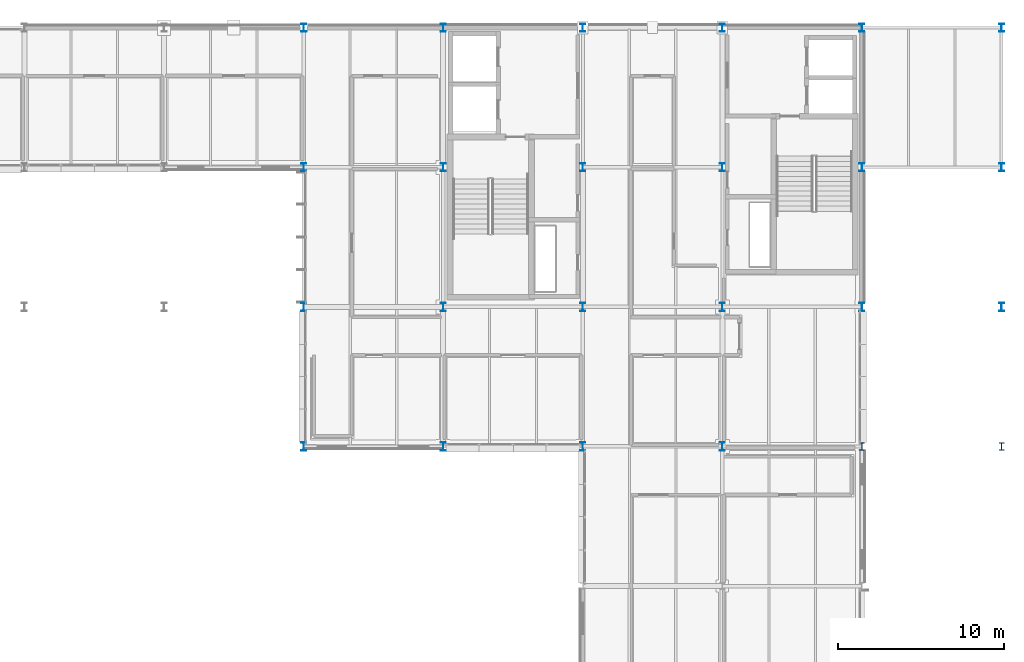
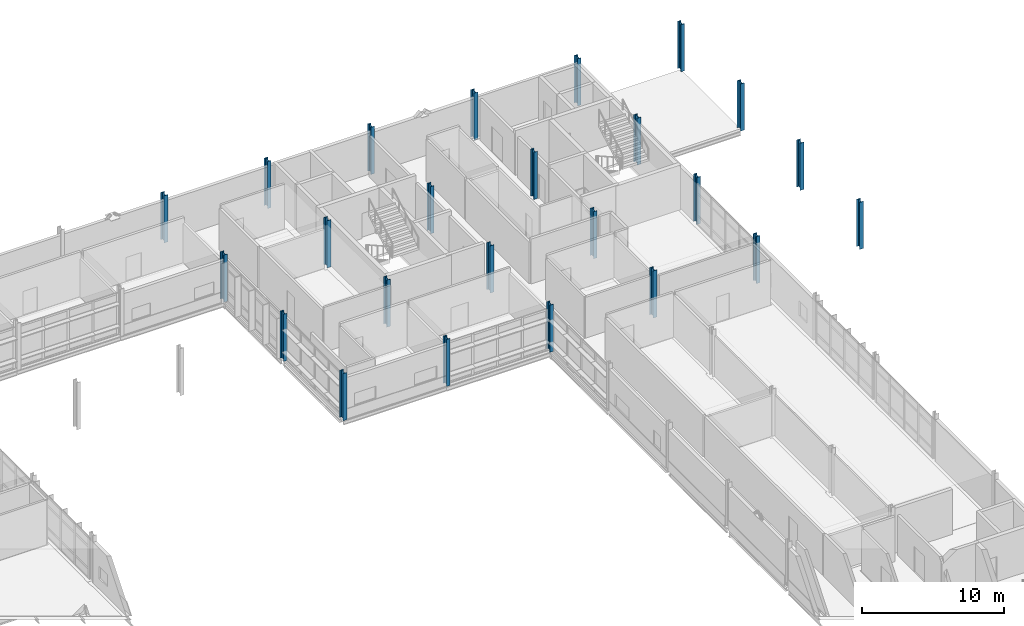
# One storey, part 13 of 131: 24 columns.
"""IFC4 building model written with IfcOpenShell, lengths in metres."""

from ifc_helpers import new_model, si_unit, direction, frame, origin, origin_2d, place, context, subcontext, project, spatial, i_section, extrude, material, material_profile, profile_set, type_object, element, save


model = new_model("IFC4")

# Units and contexts
model_context = context("Model", 3, precision=1e-05, world=origin(), true_north=direction((0.0, 1.0)))
body_context = subcontext(model_context, "Body", "Model", "MODEL_VIEW")
ifc_project = project(units=[si_unit("LENGTHUNIT", "METRE"), si_unit("AREAUNIT", "SQUARE_METRE"), si_unit("VOLUMEUNIT", "CUBIC_METRE"), si_unit("PLANEANGLEUNIT", "RADIAN"), si_unit("MASSUNIT", "GRAM", prefix="KILO")], contexts=[model_context])

# Site, building, storey
site_placement = place(None, origin())
site = spatial("IfcSite", under=ifc_project, at=site_placement, CompositionType="ELEMENT")
building_placement = place(site_placement, origin())
building = spatial("IfcBuilding", under=site, at=building_placement, Name="Mersafa Astral City Hall", CompositionType="ELEMENT")
storey_placement = place(building_placement, frame((0.0, 0.0, 13.949951171875)))
storey = spatial("IfcBuildingStorey", under=building, at=storey_placement, Name="L03", CompositionType="ELEMENT", Elevation=13.949951171875)

# Columns
ifc_material = material(Name="Steel S355", Category="steel")
ifc_material_profile_1 = material_profile(ifc_material, i_section(OverallWidth=0.300048828125, OverallDepth=0.449951171875, WebThickness=0.013916015625, FlangeThickness=0.02587890625, FilletRadius=0.027099609375, at=origin_2d()), Name="HEB 450")
ifc_profile_set_1 = profile_set([ifc_material_profile_1], Name="Steel S355")
column_type_1 = type_object("IfcColumnType", Name="STR-COL-HEB450", PredefinedType="COLUMN", material=ifc_profile_set_1)
for number, where, z_axis, x_axis, name in (
    (1, (176.39990234375, 100.800048828125, 0.0), (0.0, 0.0, 1.0), (1.0, 0.0, 0.0), "L03 Structural column G-21-12"),
    (2, (184.800048828125, 100.800048828125, 0.0), (0.0, 0.0, 1.0), (1.0, 0.0, 0.0), "L03 Structural column G-22-12"),
):
    element("IfcColumn", number, at=place(storey_placement, frame(where, z_axis=z_axis, x_axis=x_axis)), inside=storey, type_object=column_type_1, Name=name, PredefinedType="COLUMN", context=body_context, shape_type="SweptSolid", body=[
        extrude(i_section(OverallWidth=0.300048828125, OverallDepth=0.449951171875, WebThickness=0.013916015625, FlangeThickness=0.02587890625, FilletRadius=0.027099609375, at=origin_2d()), origin(), (0.0, 0.0, 1.0), 4.050048828125),
    ])
ifc_material_profile_2 = material_profile(ifc_material, i_section(OverallWidth=0.300048828125, OverallDepth=0.5, WebThickness=0.014404296875, FlangeThickness=0.028076171875, FilletRadius=0.027099609375, at=origin_2d()), Name="HEB 500")
ifc_profile_set_2 = profile_set([ifc_material_profile_2], Name="Steel S355")
column_type_2 = type_object("IfcColumnType", Name="STR-COL-HEB500", PredefinedType="COLUMN", material=ifc_profile_set_2)
for number, where, z_axis, x_axis, name in (
    (3, (142.800048828125, 100.800048828125, 0.0), (0.0, 0.0, 1.0), (1.0, 0.0, 0.0), "L03 Structural column G-17-12"),
    (4, (142.800048828125, 109.199951171875, 0.0), (0.0, 0.0, 1.0), (1.0, 0.0, 0.0), "L03 Structural column G-17-13"),
    (5, (142.800048828125, 117.60009765625, 0.0), (0.0, 0.0, 1.0), (1.0, 0.0, 0.0), "L03 Structural column G-17-14"),
    (6, (142.800048828125, 126.0, 0.0), (0.0, 0.0, 1.0), (1.0, 0.0, 0.0), "L03 Structural column G-17-15"),
    (7, (151.199951171875, 100.800048828125, 0.0), (0.0, 0.0, 1.0), (1.0, 0.0, 0.0), "L03 Structural column G-18-12"),
    (8, (151.199951171875, 109.199951171875, 0.0), (0.0, 0.0, 1.0), (1.0, 0.0, 0.0), "L03 Structural column G-18-13"),
    (9, (151.199951171875, 117.60009765625, 0.0), (0.0, 0.0, 1.0), (1.0, 0.0, 0.0), "L03 Structural column G-18-14"),
    (10, (151.199951171875, 126.0, 0.0), (0.0, 0.0, 1.0), (1.0, 0.0, 0.0), "L03 Structural column G-18-15"),
    (11, (159.60009765625, 100.800048828125, 0.0), (0.0, 0.0, 1.0), (1.0, 0.0, 0.0), "L03 Structural column G-19-12"),
    (12, (159.60009765625, 109.199951171875, 0.0), (0.0, 0.0, 1.0), (1.0, 0.0, 0.0), "L03 Structural column G-19-13"),
    (13, (159.60009765625, 117.60009765625, 0.0), (0.0, 0.0, 1.0), (1.0, 0.0, 0.0), "L03 Structural column G-19-14"),
    (14, (159.60009765625, 126.0, 0.0), (0.0, 0.0, 1.0), (1.0, 0.0, 0.0), "L03 Structural column G-19-15"),
    (15, (168.0, 100.800048828125, 0.0), (0.0, 0.0, 1.0), (1.0, 0.0, 0.0), "L03 Structural column G-20-12"),
    (16, (168.0, 109.199951171875, 0.0), (0.0, 0.0, 1.0), (1.0, 0.0, 0.0), "L03 Structural column G-20-13"),
    (17, (168.0, 117.60009765625, 0.0), (0.0, 0.0, 1.0), (1.0, 0.0, 0.0), "L03 Structural column G-20-14"),
    (18, (168.0, 126.0, 0.0), (0.0, 0.0, 1.0), (1.0, 0.0, 0.0), "L03 Structural column G-20-15"),
    (19, (176.39990234375, 109.199951171875, 0.0), (0.0, 0.0, 1.0), (1.0, 0.0, 0.0), "L03 Structural column G-21-13"),
    (20, (176.39990234375, 117.60009765625, 0.0), (0.0, 0.0, 1.0), (1.0, 0.0, 0.0), "L03 Structural column G-21-14"),
    (21, (176.39990234375, 126.0, 0.0), (0.0, 0.0, 1.0), (1.0, 0.0, 0.0), "L03 Structural column G-21-15"),
    (22, (184.800048828125, 109.199951171875, 0.0), (0.0, 0.0, 1.0), (1.0, 0.0, 0.0), "L03 Structural column G-22-13"),
    (23, (184.800048828125, 117.60009765625, 0.0), (0.0, 0.0, 1.0), (1.0, 0.0, 0.0), "L03 Structural column G-22-14"),
    (24, (184.800048828125, 126.0, 0.0), (0.0, 0.0, 1.0), (1.0, 0.0, 0.0), "L03 Structural column G-22-15"),
):
    element("IfcColumn", number, at=place(storey_placement, frame(where, z_axis=z_axis, x_axis=x_axis)), inside=storey, type_object=column_type_2, Name=name, PredefinedType="COLUMN", context=body_context, shape_type="SweptSolid", body=[
        extrude(i_section(OverallWidth=0.300048828125, OverallDepth=0.5, WebThickness=0.014404296875, FlangeThickness=0.028076171875, FilletRadius=0.027099609375, at=origin_2d()), origin(), (0.0, 0.0, 1.0), 4.050048828125),
    ])

save(model, "model.ifc")
